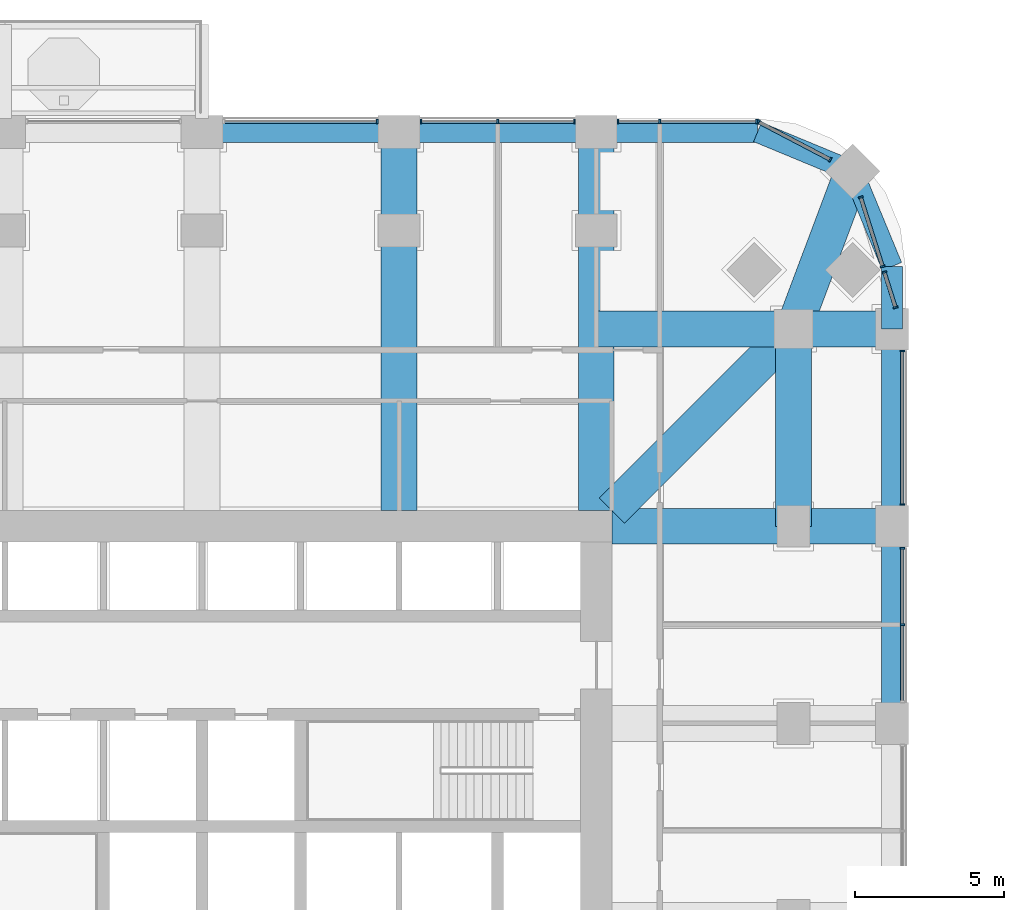
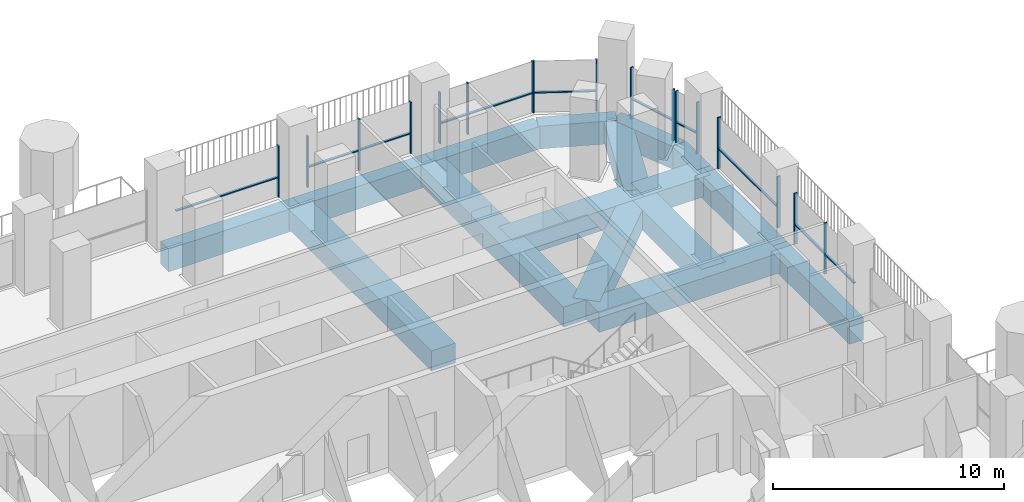
# One storey, part 7 of 21: 28 members, 16 beams, 8 elements without a shape of their own.
"""IFC4 building model written with IfcOpenShell, lengths in metres."""

from ifc_helpers import new_model, si_unit, direction, frame, origin, origin_2d, place, context, subcontext, project, spatial, rectangle, extrude, material, material_profile, profile_set, type_object, element, aggregate, save


model = new_model("IFC4")

# Units and contexts
model_context = context("Model", 3, precision=1e-05, world=origin(), true_north=direction((0.0, 1.0)))
body_context = subcontext(model_context, "Body", "Model", "MODEL_VIEW")
ifc_project = project(units=[si_unit("LENGTHUNIT", "METRE"), si_unit("AREAUNIT", "SQUARE_METRE"), si_unit("VOLUMEUNIT", "CUBIC_METRE"), si_unit("PLANEANGLEUNIT", "RADIAN"), si_unit("MASSUNIT", "GRAM", prefix="KILO")], contexts=[model_context])

# Site, building, storey
site_placement = place(None, origin())
site = spatial("IfcSite", under=ifc_project, at=site_placement, CompositionType="ELEMENT")
building_placement = place(site_placement, origin())
building = spatial("IfcBuilding", under=site, at=building_placement, Name="Cobogo Forest Laboratory Tower", CompositionType="ELEMENT")
storey_placement = place(building_placement, frame((0.0, 0.0, 124.199951171875)))
storey = spatial("IfcBuildingStorey", under=building, at=storey_placement, Name="L28", CompositionType="ELEMENT", Elevation=124.199951171875)

# Beams
ifc_material_1 = material(Name="Concrete HA-40 (C40/50)", Category="concrete")
ifc_material_profile_1 = material_profile(ifc_material_1, rectangle(XDim=1.199951171875, YDim=1.050048828125, at=origin_2d()), Name="RC 1200x1050")
ifc_profile_set_1 = profile_set([ifc_material_profile_1], Name="Concrete HA-40 (C40/50)")
beam_type_1 = type_object("IfcBeamType", Name="Laboratory floor wide beam 1200x1050", PredefinedType="BEAM", material=ifc_profile_set_1)
for number, where, z_axis, x_axis, name in (
    (1, (33.0, 33.52490234375, -0.824951171875), (0.0, 1.0, 0.0), (-1.0, 0.0, 0.0), "RB1 R-6-N L28"),
    (2, (39.60009765625, 33.52490234375, -0.824951171875), (0.0, 1.0, 0.0), (-1.0, 0.0, 0.0), "RB1 R-7-N L28"),
):
    element("IfcBeam", number, at=place(storey_placement, frame(where, z_axis=z_axis, x_axis=x_axis)), inside=storey, type_object=beam_type_1, Name=name, PredefinedType="BEAM", context=body_context, shape_type="SweptSolid", body=[
        extrude(rectangle(XDim=1.199951171875, YDim=1.050048828125, at=origin_2d()), origin(), (0.0, 0.0, 1.0), 12.675048828125),
    ])
beam_1_placement = place(storey_placement, frame((40.125, 33.0, -0.824951171875), z_axis=(1.0, 0.0, 0.0), x_axis=(0.0, 1.0, 0.0)))
element("IfcBeam", 3, at=beam_1_placement, inside=storey, type_object=beam_type_1, Name="RB1 R-F-E L28", PredefinedType="BEAM", context=body_context, shape_type="SweptSolid", body=[
    extrude(rectangle(XDim=1.199951171875, YDim=1.050048828125, at=origin_2d()), origin(), (0.0, 0.0, 1.0), 9.375),
])
beam_2_placement = place(storey_placement, frame((46.199951171875, 39.60009765625, -0.824951171875), z_axis=(0.0, -1.0, 0.0), x_axis=(1.0, 0.0, 0.0)))
element("IfcBeam", 4, at=beam_2_placement, inside=storey, type_object=beam_type_1, Name="RB1 G-NE-XC L28", PredefinedType="BEAM", context=body_context, shape_type="SweptSolid", body=[
    extrude(rectangle(XDim=1.199951171875, YDim=1.050048828125, at=origin_2d()), origin(), (0.0, 0.0, 1.0), 6.60009765625),
])
beam_3_placement = place(storey_placement, frame((49.5, 39.60009765625, -0.824951171875), z_axis=(-1.0, 0.0, 0.0), x_axis=(0.0, -1.0, 0.0)))
element("IfcBeam", 5, at=beam_3_placement, inside=storey, type_object=beam_type_1, Name="RB1 G-NE-YF L28", PredefinedType="BEAM", context=body_context, shape_type="SweptSolid", body=[
    extrude(rectangle(XDim=1.199951171875, YDim=1.050048828125, at=origin_2d()), origin(), (0.0, 0.0, 1.0), 3.300048828125),
])
beam_4_placement = place(storey_placement, frame((46.199951171875, 39.60009765625, -0.824951171875), z_axis=(-1.0, 0.0, 0.0), x_axis=(0.0, -1.0, 0.0)))
element("IfcBeam", 6, at=beam_4_placement, inside=storey, type_object=beam_type_1, Name="RB1 G-NE-YC L28", PredefinedType="BEAM", context=body_context, shape_type="SweptSolid", body=[
    extrude(rectangle(XDim=1.199951171875, YDim=1.050048828125, at=origin_2d()), origin(), (0.0, 0.0, 1.0), 6.599853515625),
])
beam_5_placement = place(storey_placement, frame((48.181884765625, 44.882080078125, -0.824951171875), z_axis=(-0.351308391925, -0.936259800356, 0.0), x_axis=(0.936259800356, -0.351308391925, 0.0)))
element("IfcBeam", 7, at=beam_5_placement, inside=storey, type_object=beam_type_1, Name="RB1 G-NE-D1 L28", PredefinedType="BEAM", context=body_context, shape_type="SweptSolid", body=[
    extrude(rectangle(XDim=1.199951171875, YDim=1.050048828125, at=origin_2d()), origin(), (0.0, 0.0, 1.0), 5.6416015625),
])
beam_6_placement = place(storey_placement, frame((46.199951171875, 39.60009765625, -0.824951171875), z_axis=(-0.707092572697, -0.70712098939, 0.0), x_axis=(0.70712098939, -0.707092572697, 0.0)))
element("IfcBeam", 8, at=beam_6_placement, inside=storey, type_object=beam_type_1, Name="RB1 G-NE-D2 L28", PredefinedType="BEAM", context=body_context, shape_type="SweptSolid", body=[
    extrude(rectangle(XDim=1.199951171875, YDim=1.050048828125, at=origin_2d()), origin(), (0.0, 0.0, 1.0), 8.591552734375),
])

# Curtain wall, members
ifc_material_2 = material(Name="Aluminium curtain wall", Category="aluminium")
curtain_wall_type = type_object("IfcCurtainWallType", Name="CW-1 unitised curtain wall, clear glazing, laboratory floors zones A and B", PredefinedType="USERDEFINED", material=ifc_material_2)
curtain_wall_1_placement = place(storey_placement, origin())
curtain_wall_1 = element("IfcCurtainWall", 9, at=curtain_wall_1_placement, inside=storey, type_object=curtain_wall_type, Name="Curtain wall 13 L28", ObjectType="UNITISED CURTAIN WALL", PredefinedType="USERDEFINED")
ifc_material_3 = material(Name="Aluminium mullion", Category="aluminium")
ifc_material_profile_2 = material_profile(ifc_material_3, rectangle(XDim=0.06005859375, YDim=0.159912109375, at=origin_2d()), Name="AL 60x160")
ifc_profile_set_2 = profile_set([ifc_material_profile_2], Name="Aluminium mullion")
member_type_1 = type_object("IfcMemberType", Name="MU-1 aluminium mullion 60x160", PredefinedType="MULLION", material=ifc_profile_set_2)
member_1_placement = place(storey_placement, frame((49.85009765625, 29.699951171875, 0.0), z_axis=(0.0, 0.0, 1.0), x_axis=(0.0, 1.0, 0.0)))
member_1 = element("IfcMember", 10, at=member_1_placement, type_object=member_type_1, Name="CW-1 mullion 2", PredefinedType="MULLION", context=body_context, shape_type="SweptSolid", body=[
    extrude(rectangle(XDim=0.06005859375, YDim=0.159912109375, at=origin_2d()), origin(), (0.0, 0.0, 1.0), 2.699951171875),
])
member_2_placement = place(storey_placement, frame((49.85009765625, 32.27001953125, 0.0), z_axis=(0.0, 0.0, 1.0), x_axis=(0.0, 1.0, 0.0)))
member_2 = element("IfcMember", 11, at=member_2_placement, type_object=member_type_1, Name="CW-1 mullion 3", PredefinedType="MULLION", context=body_context, shape_type="SweptSolid", body=[
    extrude(rectangle(XDim=0.06005859375, YDim=0.159912109375, at=origin_2d()), origin(), (0.0, 0.0, 1.0), 2.699951171875),
])

curtain_wall_2_placement = place(storey_placement, origin())
curtain_wall_2 = element("IfcCurtainWall", 12, at=curtain_wall_2_placement, inside=storey, type_object=curtain_wall_type, Name="Curtain wall 14 L28", ObjectType="UNITISED CURTAIN WALL", PredefinedType="USERDEFINED")
member_3_placement = place(storey_placement, frame((49.85009765625, 33.72998046875, 0.0), z_axis=(0.0, 0.0, 1.0), x_axis=(0.0, 1.0, 0.0)))
member_3 = element("IfcMember", 13, at=member_3_placement, type_object=member_type_1, Name="CW-1 mullion 1", PredefinedType="MULLION", context=body_context, shape_type="SweptSolid", body=[
    extrude(rectangle(XDim=0.06005859375, YDim=0.159912109375, at=origin_2d()), origin(), (0.0, 0.0, 1.0), 2.699951171875),
])
member_4_placement = place(storey_placement, frame((49.85009765625, 38.8701171875, 0.0), z_axis=(0.0, 0.0, 1.0), x_axis=(0.0, 1.0, 0.0)))
member_4 = element("IfcMember", 14, at=member_4_placement, type_object=member_type_1, Name="CW-1 mullion 2", PredefinedType="MULLION", context=body_context, shape_type="SweptSolid", body=[
    extrude(rectangle(XDim=0.06005859375, YDim=0.159912109375, at=origin_2d()), origin(), (0.0, 0.0, 1.0), 2.699951171875),
])

curtain_wall_3_placement = place(storey_placement, origin())
curtain_wall_3 = element("IfcCurtainWall", 15, at=curtain_wall_3_placement, inside=storey, type_object=curtain_wall_type, Name="Curtain wall 15 L28", ObjectType="UNITISED CURTAIN WALL", PredefinedType="USERDEFINED")
member_5_placement = place(storey_placement, frame((49.619873046875, 40.32861328125, 0.0), z_axis=(0.0, 0.0, 1.0), x_axis=(-0.301135356805, 0.953581405483, 0.0)))
member_5 = element("IfcMember", 16, at=member_5_placement, type_object=member_type_1, Name="CW-1 mullion 1", PredefinedType="MULLION", context=body_context, shape_type="SweptSolid", body=[
    extrude(rectangle(XDim=0.06005859375, YDim=0.159912109375, at=origin_2d()), origin(), (0.0, 0.0, 1.0), 2.699951171875),
])
member_6_placement = place(storey_placement, frame((49.247802734375, 41.507080078125, 0.0), z_axis=(0.0, 0.0, 1.0), x_axis=(-0.301135356805, 0.953581405483, 0.0)))
member_6 = element("IfcMember", 17, at=member_6_placement, type_object=member_type_1, Name="CW-1 mullion 2", PredefinedType="MULLION", context=body_context, shape_type="SweptSolid", body=[
    extrude(rectangle(XDim=0.06005859375, YDim=0.159912109375, at=origin_2d()), origin(), (0.0, 0.0, 1.0), 2.699951171875),
])

curtain_wall_4_placement = place(storey_placement, origin())
curtain_wall_4 = element("IfcCurtainWall", 18, at=curtain_wall_4_placement, inside=storey, type_object=curtain_wall_type, Name="Curtain wall 16 L28", ObjectType="UNITISED CURTAIN WALL", PredefinedType="USERDEFINED")
member_7_placement = place(storey_placement, frame((49.18701171875, 41.69970703125, 0.0), z_axis=(0.0, 0.0, 1.0), x_axis=(-0.301135291996, 0.953581425949, 0.0)))
member_7 = element("IfcMember", 19, at=member_7_placement, type_object=member_type_1, Name="CW-1 mullion 1", PredefinedType="MULLION", context=body_context, shape_type="SweptSolid", body=[
    extrude(rectangle(XDim=0.06005859375, YDim=0.159912109375, at=origin_2d()), origin(), (0.0, 0.0, 1.0), 2.699951171875),
])
member_8_placement = place(storey_placement, frame((48.455810546875, 44.01513671875, 0.0), z_axis=(0.0, 0.0, 1.0), x_axis=(-0.301135291996, 0.953581425949, 0.0)))
member_8 = element("IfcMember", 20, at=member_8_placement, type_object=member_type_1, Name="CW-1 mullion 2", PredefinedType="MULLION", context=body_context, shape_type="SweptSolid", body=[
    extrude(rectangle(XDim=0.06005859375, YDim=0.159912109375, at=origin_2d()), origin(), (0.0, 0.0, 1.0), 2.699951171875),
])

curtain_wall_5_placement = place(storey_placement, origin())
curtain_wall_5 = element("IfcCurtainWall", 21, at=curtain_wall_5_placement, inside=storey, type_object=curtain_wall_type, Name="Curtain wall 17 L28", ObjectType="UNITISED CURTAIN WALL", PredefinedType="USERDEFINED")
member_9_placement = place(storey_placement, frame((47.431640625, 45.275390625, 0.0), z_axis=(0.0, 0.0, 1.0), x_axis=(-0.885686547075, 0.464283685186, 0.0)))
member_9 = element("IfcMember", 22, at=member_9_placement, type_object=member_type_1, Name="CW-1 mullion 1", PredefinedType="MULLION", context=body_context, shape_type="SweptSolid", body=[
    extrude(rectangle(XDim=0.06005859375, YDim=0.159912109375, at=origin_2d()), origin(), (0.0, 0.0, 1.0), 2.699951171875),
])
member_10_placement = place(storey_placement, frame((45.026611328125, 46.5361328125, 0.0), z_axis=(0.0, 0.0, 1.0), x_axis=(-0.885686547075, 0.464283685186, 0.0)))
member_10 = element("IfcMember", 23, at=member_10_placement, type_object=member_type_1, Name="CW-1 mullion 2", PredefinedType="MULLION", context=body_context, shape_type="SweptSolid", body=[
    extrude(rectangle(XDim=0.06005859375, YDim=0.159912109375, at=origin_2d()), origin(), (0.0, 0.0, 1.0), 2.699951171875),
])

curtain_wall_6_placement = place(storey_placement, origin())
curtain_wall_6 = element("IfcCurtainWall", 24, at=curtain_wall_6_placement, inside=storey, type_object=curtain_wall_type, Name="Curtain wall 18 L28", ObjectType="UNITISED CURTAIN WALL", PredefinedType="USERDEFINED")
member_11_placement = place(storey_placement, frame((44.969970703125, 46.550048828125, 0.0), z_axis=(0.0, 0.0, 1.0), x_axis=(-1.0, 0.0, 0.0)))
member_11 = element("IfcMember", 25, at=member_11_placement, type_object=member_type_1, Name="CW-1 mullion 1", PredefinedType="MULLION", context=body_context, shape_type="SweptSolid", body=[
    extrude(rectangle(XDim=0.06005859375, YDim=0.159912109375, at=origin_2d()), origin(), (0.0, 0.0, 1.0), 2.699951171875),
])
member_12_placement = place(storey_placement, frame((41.72509765625, 46.550048828125, 0.0), z_axis=(0.0, 0.0, 1.0), x_axis=(-1.0, 0.0, 0.0)))
member_12 = element("IfcMember", 26, at=member_12_placement, type_object=member_type_1, Name="CW-1 mullion 2", PredefinedType="MULLION", context=body_context, shape_type="SweptSolid", body=[
    extrude(rectangle(XDim=0.06005859375, YDim=0.159912109375, at=origin_2d()), origin(), (0.0, 0.0, 1.0), 2.699951171875),
])
member_13_placement = place(storey_placement, frame((40.330078125, 46.550048828125, 0.0), z_axis=(0.0, 0.0, 1.0), x_axis=(-1.0, 0.0, 0.0)))
member_13 = element("IfcMember", 27, at=member_13_placement, type_object=member_type_1, Name="CW-1 mullion 3", PredefinedType="MULLION", context=body_context, shape_type="SweptSolid", body=[
    extrude(rectangle(XDim=0.06005859375, YDim=0.159912109375, at=origin_2d()), origin(), (0.0, 0.0, 1.0), 2.699951171875),
])

curtain_wall_7_placement = place(storey_placement, origin())
curtain_wall_7 = element("IfcCurtainWall", 28, at=curtain_wall_7_placement, inside=storey, type_object=curtain_wall_type, Name="Curtain wall 19 L28", ObjectType="UNITISED CURTAIN WALL", PredefinedType="USERDEFINED")
member_14_placement = place(storey_placement, frame((38.8701171875, 46.550048828125, 0.0), z_axis=(0.0, 0.0, 1.0), x_axis=(-1.0, 0.0, 0.0)))
member_14 = element("IfcMember", 29, at=member_14_placement, type_object=member_type_1, Name="CW-1 mullion 1", PredefinedType="MULLION", context=body_context, shape_type="SweptSolid", body=[
    extrude(rectangle(XDim=0.06005859375, YDim=0.159912109375, at=origin_2d()), origin(), (0.0, 0.0, 1.0), 2.699951171875),
])
member_15_placement = place(storey_placement, frame((36.300048828125, 46.550048828125, 0.0), z_axis=(0.0, 0.0, 1.0), x_axis=(-1.0, 0.0, 0.0)))
member_15 = element("IfcMember", 30, at=member_15_placement, type_object=member_type_1, Name="CW-1 mullion 2", PredefinedType="MULLION", context=body_context, shape_type="SweptSolid", body=[
    extrude(rectangle(XDim=0.06005859375, YDim=0.159912109375, at=origin_2d()), origin(), (0.0, 0.0, 1.0), 2.699951171875),
])
member_16_placement = place(storey_placement, frame((33.72998046875, 46.550048828125, 0.0), z_axis=(0.0, 0.0, 1.0), x_axis=(-1.0, 0.0, 0.0)))
member_16 = element("IfcMember", 31, at=member_16_placement, type_object=member_type_1, Name="CW-1 mullion 3", PredefinedType="MULLION", context=body_context, shape_type="SweptSolid", body=[
    extrude(rectangle(XDim=0.06005859375, YDim=0.159912109375, at=origin_2d()), origin(), (0.0, 0.0, 1.0), 2.699951171875),
])

# Curtain wall, member
curtain_wall_8_placement = place(storey_placement, origin())
curtain_wall_8 = element("IfcCurtainWall", 32, at=curtain_wall_8_placement, inside=storey, type_object=curtain_wall_type, Name="Curtain wall 20 L28", ObjectType="UNITISED CURTAIN WALL", PredefinedType="USERDEFINED")
member_17_placement = place(storey_placement, frame((32.27001953125, 46.550048828125, 0.0), z_axis=(0.0, 0.0, 1.0), x_axis=(-1.0, 0.0, 0.0)))
member_17 = element("IfcMember", 33, at=member_17_placement, type_object=member_type_1, Name="CW-1 mullion 1", PredefinedType="MULLION", context=body_context, shape_type="SweptSolid", body=[
    extrude(rectangle(XDim=0.06005859375, YDim=0.159912109375, at=origin_2d()), origin(), (0.0, 0.0, 1.0), 2.699951171875),
])

# Beams
ifc_material_profile_3 = material_profile(ifc_material_1, rectangle(XDim=0.699951171875, YDim=1.199951171875, at=origin_2d()), Name="RC 700x1200")
ifc_profile_set_3 = profile_set([ifc_material_profile_3], Name="Concrete HA-40 (C40/50)")
beam_type_2 = type_object("IfcBeamType", Name="Perimeter edge beam 700x1200", PredefinedType="BEAM", material=ifc_profile_set_3)
for number, where, z_axis, x_axis, name in (
    (34, (49.5, 26.39990234375, -0.89990234375), (0.0, 1.0, 0.0), (-1.0, 0.0, 0.0), "EB1 E-E4 L28"),
    (35, (49.5, 33.0, -0.89990234375), (0.0, 1.0, 0.0), (-1.0, 0.0, 0.0), "EB1 E-E5 L28"),
    (36, (26.39990234375, 46.199951171875, -0.89990234375), (1.0, 0.0, 0.0), (0.0, 1.0, 0.0), "EB1 E-N3 L28"),
    (37, (33.0, 46.199951171875, -0.89990234375), (1.0, 0.0, 0.0), (0.0, 1.0, 0.0), "EB1 E-N4 L28"),
):
    element("IfcBeam", number, at=place(storey_placement, frame(where, z_axis=z_axis, x_axis=x_axis)), inside=storey, type_object=beam_type_2, Name=name, PredefinedType="BEAM", context=body_context, shape_type="SweptSolid", body=[
        extrude(rectangle(XDim=0.699951171875, YDim=1.199951171875, at=origin_2d()), origin(), (0.0, 0.0, 1.0), 6.60009765625),
    ])
beam_7_placement = place(storey_placement, frame((49.5, 39.60009765625, -0.89990234375), z_axis=(0.0, 1.0, 0.0), x_axis=(-1.0, 0.0, 0.0)))
element("IfcBeam", 38, at=beam_7_placement, inside=storey, type_object=beam_type_2, Name="EB1 E-NEE1 L28", PredefinedType="BEAM", context=body_context, shape_type="SweptSolid", body=[
    extrude(rectangle(XDim=0.699951171875, YDim=1.199951171875, at=origin_2d()), origin(), (0.0, 0.0, 1.0), 2.099853515625),
])
beam_8_placement = place(storey_placement, frame((49.5, 41.699951171875, -0.89990234375), z_axis=(-0.382691928466, 0.923876013265, 0.0), x_axis=(-0.923876013265, -0.382691928466, 0.0)))
element("IfcBeam", 39, at=beam_8_placement, inside=storey, type_object=beam_type_2, Name="EB1 E-NEE2 L28", PredefinedType="BEAM", context=body_context, shape_type="SweptSolid", body=[
    extrude(rectangle(XDim=0.699951171875, YDim=1.199951171875, at=origin_2d()), origin(), (0.0, 0.0, 1.0), 3.4443359375),
])
beam_9_placement = place(storey_placement, frame((39.60009765625, 46.199951171875, -0.89990234375), z_axis=(1.0, 0.0, 0.0), x_axis=(0.0, 1.0, 0.0)))
element("IfcBeam", 40, at=beam_9_placement, inside=storey, type_object=beam_type_2, Name="EB1 E-NEN1 L28", PredefinedType="BEAM", context=body_context, shape_type="SweptSolid", body=[
    extrude(rectangle(XDim=0.699951171875, YDim=1.199951171875, at=origin_2d()), origin(), (0.0, 0.0, 1.0), 5.39990234375),
])
beam_10_placement = place(storey_placement, frame((45.0, 46.199951171875, -0.89990234375), z_axis=(0.923890694089, -0.382656484822, 0.0), x_axis=(0.382656484822, 0.923890694089, 0.0)))
element("IfcBeam", 41, at=beam_10_placement, inside=storey, type_object=beam_type_2, Name="EB1 E-NEN2 L28", PredefinedType="BEAM", context=body_context, shape_type="SweptSolid", body=[
    extrude(rectangle(XDim=0.699951171875, YDim=1.199951171875, at=origin_2d()), origin(), (0.0, 0.0, 1.0), 3.444091796875),
])

# Member
ifc_material_4 = material(Name="Aluminium transom", Category="aluminium")
ifc_material_profile_4 = material_profile(ifc_material_4, rectangle(XDim=0.1201171875, YDim=0.06005859375, at=origin_2d()), Name="AL 60x120")
ifc_profile_set_4 = profile_set([ifc_material_profile_4], Name="Aluminium transom")
member_type_2 = type_object("IfcMemberType", Name="TR-1 aluminium transom 60x120", PredefinedType="USERDEFINED", material=ifc_profile_set_4)
member_18_placement = place(storey_placement, frame((49.85009765625, 27.159912109375, 1.050048828125), z_axis=(0.0, 1.0, 0.0), x_axis=(-1.0, 0.0, 0.0)))
member_18 = element("IfcMember", 42, at=member_18_placement, type_object=member_type_2, Name="CW-1 transom 1.1", ObjectType="TRANSOM", PredefinedType="USERDEFINED", context=body_context, shape_type="SweptSolid", body=[
    extrude(rectangle(XDim=0.1201171875, YDim=0.06005859375, at=origin_2d()), origin(), (0.0, 0.0, 1.0), 2.510009765625),
])

member_19_placement = place(storey_placement, frame((49.85009765625, 29.72998046875, 1.050048828125), z_axis=(0.0, 1.0, 0.0), x_axis=(-1.0, 0.0, 0.0)))
member_19 = element("IfcMember", 43, at=member_19_placement, type_object=member_type_2, Name="CW-1 transom 2.1", ObjectType="TRANSOM", PredefinedType="USERDEFINED", context=body_context, shape_type="SweptSolid", body=[
    extrude(rectangle(XDim=0.1201171875, YDim=0.06005859375, at=origin_2d()), origin(), (0.0, 0.0, 1.0), 2.510009765625),
])

aggregate(curtain_wall_1, [member_1, member_2, member_18, member_19])

member_20_placement = place(storey_placement, frame((49.85009765625, 33.760009765625, 1.050048828125), z_axis=(0.0, 1.0, 0.0), x_axis=(-1.0, 0.0, 0.0)))
member_20 = element("IfcMember", 44, at=member_20_placement, type_object=member_type_2, Name="CW-1 transom 1.1", ObjectType="TRANSOM", PredefinedType="USERDEFINED", context=body_context, shape_type="SweptSolid", body=[
    extrude(rectangle(XDim=0.1201171875, YDim=0.06005859375, at=origin_2d()), origin(), (0.0, 0.0, 1.0), 5.080078125),
])

aggregate(curtain_wall_2, [member_3, member_4, member_20])

member_21_placement = place(storey_placement, frame((49.61083984375, 40.357177734375, 1.050048828125), z_axis=(-0.301051874343, 0.953607764731, 0.0), x_axis=(-0.953607764731, -0.301051874343, 0.0)))
member_21 = element("IfcMember", 45, at=member_21_placement, type_object=member_type_2, Name="CW-1 transom 1.1", ObjectType="TRANSOM", PredefinedType="USERDEFINED", context=body_context, shape_type="SweptSolid", body=[
    extrude(rectangle(XDim=0.1201171875, YDim=0.06005859375, at=origin_2d()), origin(), (0.0, 0.0, 1.0), 1.17578125),
])

aggregate(curtain_wall_3, [member_5, member_6, member_21])

member_22_placement = place(storey_placement, frame((49.177978515625, 41.728271484375, 1.050048828125), z_axis=(-0.301156039198, 0.953574873859, 0.0), x_axis=(-0.953574873859, -0.301156039198, 0.0)))
member_22 = element("IfcMember", 46, at=member_22_placement, type_object=member_type_2, Name="CW-1 transom 1.1", ObjectType="TRANSOM", PredefinedType="USERDEFINED", context=body_context, shape_type="SweptSolid", body=[
    extrude(rectangle(XDim=0.1201171875, YDim=0.06005859375, at=origin_2d()), origin(), (0.0, 0.0, 1.0), 2.367919921875),
])

aggregate(curtain_wall_4, [member_7, member_8, member_22])

member_23_placement = place(storey_placement, frame((47.405029296875, 45.289306640625, 1.050048828125), z_axis=(-0.885674922116, 0.464305860758, 0.0), x_axis=(-0.464305860758, -0.885674922116, 0.0)))
member_23 = element("IfcMember", 47, at=member_23_placement, type_object=member_type_2, Name="CW-1 transom 1.1", ObjectType="TRANSOM", PredefinedType="USERDEFINED", context=body_context, shape_type="SweptSolid", body=[
    extrude(rectangle(XDim=0.1201171875, YDim=0.06005859375, at=origin_2d()), origin(), (0.0, 0.0, 1.0), 2.6552734375),
])

aggregate(curtain_wall_5, [member_9, member_10, member_23])

member_24_placement = place(storey_placement, frame((44.93994140625, 46.550048828125, 1.050048828125), z_axis=(-1.0, 0.0, 0.0), x_axis=(0.0, -1.0, 0.0)))
member_24 = element("IfcMember", 48, at=member_24_placement, type_object=member_type_2, Name="CW-1 transom 1.1", ObjectType="TRANSOM", PredefinedType="USERDEFINED", context=body_context, shape_type="SweptSolid", body=[
    extrude(rectangle(XDim=0.1201171875, YDim=0.06005859375, at=origin_2d()), origin(), (0.0, 0.0, 1.0), 3.18505859375),
])

member_25_placement = place(storey_placement, frame((41.695068359375, 46.550048828125, 1.050048828125), z_axis=(-1.0, 0.0, 0.0), x_axis=(0.0, -1.0, 0.0)))
member_25 = element("IfcMember", 49, at=member_25_placement, type_object=member_type_2, Name="CW-1 transom 2.1", ObjectType="TRANSOM", PredefinedType="USERDEFINED", context=body_context, shape_type="SweptSolid", body=[
    extrude(rectangle(XDim=0.1201171875, YDim=0.06005859375, at=origin_2d()), origin(), (0.0, 0.0, 1.0), 1.3349609375),
])

aggregate(curtain_wall_6, [member_11, member_12, member_13, member_24, member_25])

member_26_placement = place(storey_placement, frame((38.840087890625, 46.550048828125, 1.050048828125), z_axis=(-1.0, 0.0, 0.0), x_axis=(0.0, -1.0, 0.0)))
member_26 = element("IfcMember", 50, at=member_26_placement, type_object=member_type_2, Name="CW-1 transom 1.1", ObjectType="TRANSOM", PredefinedType="USERDEFINED", context=body_context, shape_type="SweptSolid", body=[
    extrude(rectangle(XDim=0.1201171875, YDim=0.06005859375, at=origin_2d()), origin(), (0.0, 0.0, 1.0), 2.510009765625),
])

member_27_placement = place(storey_placement, frame((36.27001953125, 46.550048828125, 1.050048828125), z_axis=(-1.0, 0.0, 0.0), x_axis=(0.0, -1.0, 0.0)))
member_27 = element("IfcMember", 51, at=member_27_placement, type_object=member_type_2, Name="CW-1 transom 2.1", ObjectType="TRANSOM", PredefinedType="USERDEFINED", context=body_context, shape_type="SweptSolid", body=[
    extrude(rectangle(XDim=0.1201171875, YDim=0.06005859375, at=origin_2d()), origin(), (0.0, 0.0, 1.0), 2.510009765625),
])

aggregate(curtain_wall_7, [member_14, member_15, member_16, member_26, member_27])

member_28_placement = place(storey_placement, frame((32.239990234375, 46.550048828125, 1.050048828125), z_axis=(-1.0, 0.0, 0.0), x_axis=(0.0, -1.0, 0.0)))
member_28 = element("IfcMember", 52, at=member_28_placement, type_object=member_type_2, Name="CW-1 transom 1.1", ObjectType="TRANSOM", PredefinedType="USERDEFINED", context=body_context, shape_type="SweptSolid", body=[
    extrude(rectangle(XDim=0.1201171875, YDim=0.06005859375, at=origin_2d()), origin(), (0.0, 0.0, 1.0), 5.080078125),
])

aggregate(curtain_wall_8, [member_17, member_28])

save(model, "model.ifc")
